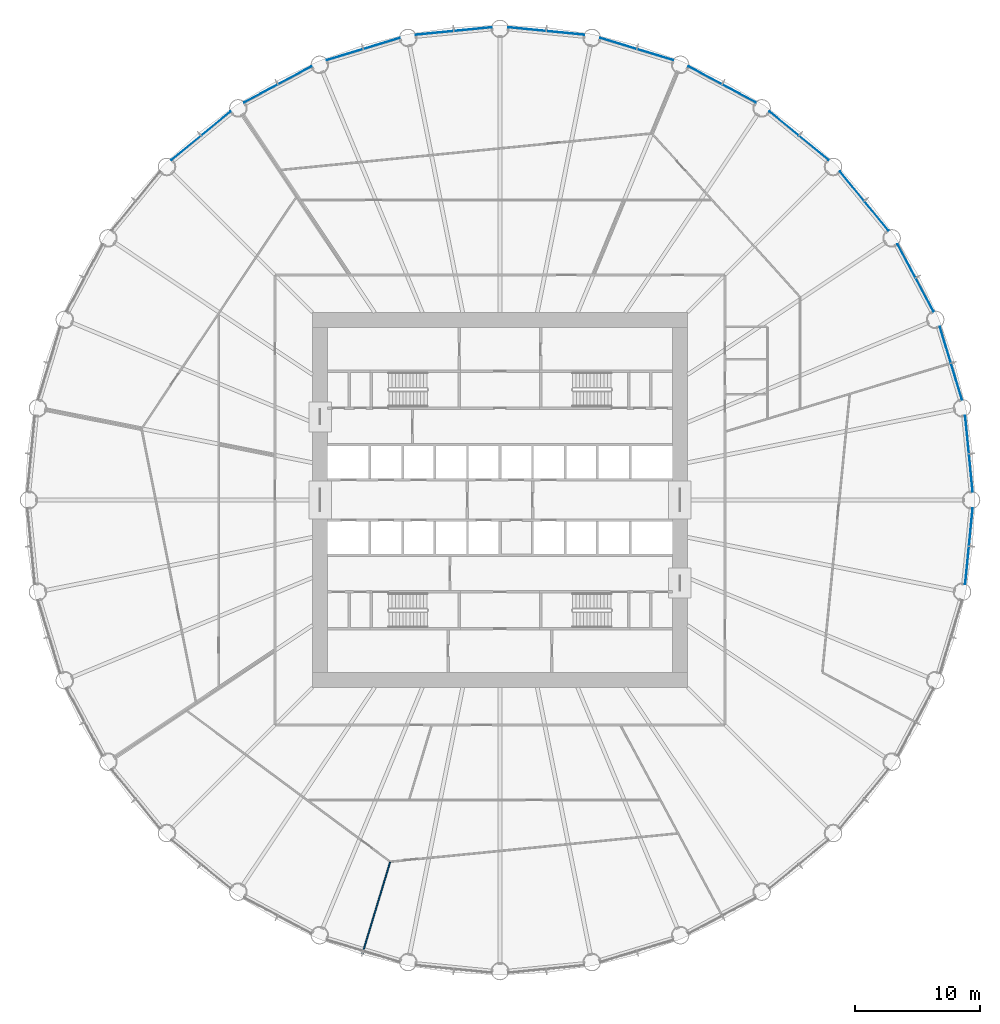
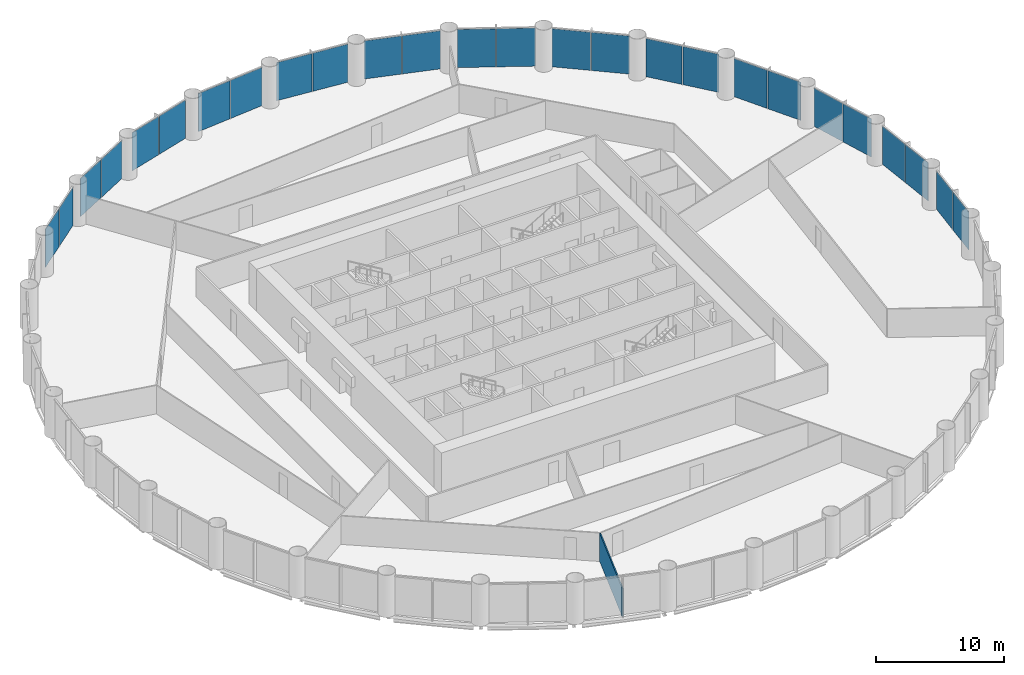
# One storey, part 9 of 14: 26 plates, 1 wall, 13 elements without a shape of their own.
"""IFC4 building model written with IfcOpenShell, lengths in metres."""

from ifc_helpers import new_model, si_unit, direction, frame, frame_2d, origin, origin_2d, place, context, subcontext, project, spatial, rectangle, extrude, material, layer, layer_set, type_object, element, aggregate, save


model = new_model("IFC4")

# Units and contexts
model_context = context("Model", 3, precision=1e-05, world=origin(), true_north=direction((0.0, 1.0)))
body_context = subcontext(model_context, "Body", "Model", "MODEL_VIEW")
ifc_project = project(units=[si_unit("LENGTHUNIT", "METRE"), si_unit("AREAUNIT", "SQUARE_METRE"), si_unit("VOLUMEUNIT", "CUBIC_METRE"), si_unit("PLANEANGLEUNIT", "RADIAN"), si_unit("MASSUNIT", "GRAM", prefix="KILO")], contexts=[model_context])

# Site, building, storey
site_placement = place(None, origin())
site = spatial("IfcSite", under=ifc_project, at=site_placement, CompositionType="ELEMENT")
building_placement = place(site_placement, origin())
building = spatial("IfcBuilding", under=site, at=building_placement, Name="Corvane Civic Tower", CompositionType="ELEMENT")
storey_placement = place(building_placement, frame((0.0, 0.0, 49.0)))
storey = spatial("IfcBuildingStorey", under=building, at=storey_placement, Name="L10", CompositionType="ELEMENT", Elevation=49.0)

# Curtain wall, plates
ifc_material_1 = material(Name="Anodised aluminium bronze", Category="aluminium")
curtain_wall_type = type_object("IfcCurtainWallType", Name="TOWER CW-T1 STICK CURTAIN WALL", PredefinedType="NOTDEFINED", material=ifc_material_1)
curtain_wall_1_placement = place(storey_placement, origin())
curtain_wall_1 = element("IfcCurtainWall", 1, at=curtain_wall_1_placement, inside=storey, type_object=curtain_wall_type, Name="Curtain wall CW-T1 L10 bay 01", PredefinedType="NOTDEFINED")
ifc_material_2 = material(Name="Tinted glass", Category="glass")
ifc_layer_1 = layer(ifc_material_2, 0.035888671875)
ifc_layer_set_1 = layer_set([ifc_layer_1], Name="Tinted glass")
plate_type = type_object("IfcPlateType", Name="TOWER CW-T1 PANEL IGU36", PredefinedType="CURTAIN_PANEL", material=ifc_layer_set_1)
plate_1_placement = place(storey_placement, frame((2.158203125, 37.667236328125, 0.0), z_axis=(0.0, 0.0, 1.0), x_axis=(0.995185800248, -0.098006239521, 0.0)))
plate_1 = element("IfcPlate", 2, at=plate_1_placement, type_object=plate_type, Name="Glass panel CW-T1 L10 01.1", PredefinedType="CURTAIN_PANEL", context=body_context, shape_type="SweptSolid", body=[
    extrude(rectangle(XDim=3.008544921875, YDim=0.035888671875, at=origin_2d()), origin(), (0.0, 0.0, 1.0), 3.6298828125),
])
plate_2_placement = place(storey_placement, frame((5.23193359375, 37.36474609375, 0.0), z_axis=(0.0, 0.0, 1.0), x_axis=(0.995185800248, -0.098006239521, 0.0)))
plate_2 = element("IfcPlate", 3, at=plate_2_placement, type_object=plate_type, Name="Glass panel CW-T1 L10 01.2", PredefinedType="CURTAIN_PANEL", context=body_context, shape_type="SweptSolid", body=[
    extrude(rectangle(XDim=3.008544921875, YDim=0.035888671875, at=origin_2d()), origin(), (0.0, 0.0, 1.0), 3.6298828125),
])
aggregate(curtain_wall_1, [plate_1, plate_2])

curtain_wall_2_placement = place(storey_placement, origin())
curtain_wall_2 = element("IfcCurtainWall", 4, at=curtain_wall_2_placement, inside=storey, type_object=curtain_wall_type, Name="Curtain wall CW-T1 L10 bay 02", PredefinedType="NOTDEFINED")
plate_3_placement = place(storey_placement, frame((9.46533203125, 36.522705078125, 0.0), z_axis=(0.0, 0.0, 1.0), x_axis=(0.956942240606, -0.290278397654, 0.0)))
plate_3 = element("IfcPlate", 5, at=plate_3_placement, type_object=plate_type, Name="Glass panel CW-T1 L10 02.1", PredefinedType="CURTAIN_PANEL", context=body_context, shape_type="SweptSolid", body=[
    extrude(rectangle(XDim=3.008544921875, YDim=0.035888671875, at=origin_2d()), origin(), (0.0, 0.0, 1.0), 3.6298828125),
])
plate_4_placement = place(storey_placement, frame((12.4208984375, 35.6259765625, 0.0), z_axis=(0.0, 0.0, 1.0), x_axis=(0.956942240606, -0.290278397654, 0.0)))
plate_4 = element("IfcPlate", 6, at=plate_4_placement, type_object=plate_type, Name="Glass panel CW-T1 L10 02.2", PredefinedType="CURTAIN_PANEL", context=body_context, shape_type="SweptSolid", body=[
    extrude(rectangle(XDim=3.008544921875, YDim=0.035888671875, at=origin_2d()), origin(), (0.0, 0.0, 1.0), 3.6298828125),
])
aggregate(curtain_wall_2, [plate_3, plate_4])

curtain_wall_3_placement = place(storey_placement, origin())
curtain_wall_3 = element("IfcCurtainWall", 7, at=curtain_wall_3_placement, inside=storey, type_object=curtain_wall_type, Name="Curtain wall CW-T1 L10 bay 03", PredefinedType="NOTDEFINED")
plate_5_placement = place(storey_placement, frame((16.40869140625, 33.974365234375, 0.0), z_axis=(0.0, 0.0, 1.0), x_axis=(0.881917528864, -0.471403725359, 0.0)))
plate_5 = element("IfcPlate", 8, at=plate_5_placement, type_object=plate_type, Name="Glass panel CW-T1 L10 03.1", PredefinedType="CURTAIN_PANEL", context=body_context, shape_type="SweptSolid", body=[
    extrude(rectangle(XDim=3.008544921875, YDim=0.035888671875, at=origin_2d()), origin(), (0.0, 0.0, 1.0), 3.6298828125),
])
plate_6_placement = place(storey_placement, frame((19.132568359375, 32.518310546875, 0.0), z_axis=(0.0, 0.0, 1.0), x_axis=(0.881917528864, -0.471403725359, 0.0)))
plate_6 = element("IfcPlate", 9, at=plate_6_placement, type_object=plate_type, Name="Glass panel CW-T1 L10 03.2", PredefinedType="CURTAIN_PANEL", context=body_context, shape_type="SweptSolid", body=[
    extrude(rectangle(XDim=3.008544921875, YDim=0.035888671875, at=origin_2d()), origin(), (0.0, 0.0, 1.0), 3.6298828125),
])
aggregate(curtain_wall_3, [plate_5, plate_6])

curtain_wall_4_placement = place(storey_placement, origin())
curtain_wall_4 = element("IfcCurtainWall", 10, at=curtain_wall_4_placement, inside=storey, type_object=curtain_wall_type, Name="Curtain wall CW-T1 L10 bay 04", PredefinedType="NOTDEFINED")
plate_7_placement = place(storey_placement, frame((22.721435546875, 30.120361328125, 0.0), z_axis=(0.0, 0.0, 1.0), x_axis=(0.773007224463, -0.634397218569, 0.0)))
plate_7 = element("IfcPlate", 11, at=plate_7_placement, type_object=plate_type, Name="Glass panel CW-T1 L10 04.1", PredefinedType="CURTAIN_PANEL", context=body_context, shape_type="SweptSolid", body=[
    extrude(rectangle(XDim=3.008544921875, YDim=0.035888671875, at=origin_2d()), origin(), (0.0, 0.0, 1.0), 3.6298828125),
])
plate_8_placement = place(storey_placement, frame((25.10888671875, 28.160888671875, 0.0), z_axis=(0.0, 0.0, 1.0), x_axis=(0.773007224463, -0.634397218569, 0.0)))
plate_8 = element("IfcPlate", 12, at=plate_8_placement, type_object=plate_type, Name="Glass panel CW-T1 L10 04.2", PredefinedType="CURTAIN_PANEL", context=body_context, shape_type="SweptSolid", body=[
    extrude(rectangle(XDim=3.008544921875, YDim=0.035888671875, at=origin_2d()), origin(), (0.0, 0.0, 1.0), 3.6298828125),
])
aggregate(curtain_wall_4, [plate_7, plate_8])

curtain_wall_5_placement = place(storey_placement, origin())
curtain_wall_5 = element("IfcCurtainWall", 13, at=curtain_wall_5_placement, inside=storey, type_object=curtain_wall_type, Name="Curtain wall CW-T1 L10 bay 05", PredefinedType="NOTDEFINED")
plate_9_placement = place(storey_placement, frame((28.160888671875, 25.10888671875, 0.0), z_axis=(0.0, 0.0, 1.0), x_axis=(0.634397218569, -0.773007224463, 0.0)))
plate_9 = element("IfcPlate", 14, at=plate_9_placement, type_object=plate_type, Name="Glass panel CW-T1 L10 05.1", PredefinedType="CURTAIN_PANEL", context=body_context, shape_type="SweptSolid", body=[
    extrude(rectangle(XDim=3.008544921875, YDim=0.035888671875, at=origin_2d()), origin(), (0.0, 0.0, 1.0), 3.6298828125),
])
plate_10_placement = place(storey_placement, frame((30.120361328125, 22.721435546875, 0.0), z_axis=(0.0, 0.0, 1.0), x_axis=(0.634397218569, -0.773007224463, 0.0)))
plate_10 = element("IfcPlate", 15, at=plate_10_placement, type_object=plate_type, Name="Glass panel CW-T1 L10 05.2", PredefinedType="CURTAIN_PANEL", context=body_context, shape_type="SweptSolid", body=[
    extrude(rectangle(XDim=3.008544921875, YDim=0.035888671875, at=origin_2d()), origin(), (0.0, 0.0, 1.0), 3.6298828125),
])
aggregate(curtain_wall_5, [plate_9, plate_10])

curtain_wall_6_placement = place(storey_placement, origin())
curtain_wall_6 = element("IfcCurtainWall", 16, at=curtain_wall_6_placement, inside=storey, type_object=curtain_wall_type, Name="Curtain wall CW-T1 L10 bay 06", PredefinedType="NOTDEFINED")
plate_11_placement = place(storey_placement, frame((32.518310546875, 19.132568359375, 0.0), z_axis=(0.0, 0.0, 1.0), x_axis=(0.471403725359, -0.881917528864, 0.0)))
plate_11 = element("IfcPlate", 17, at=plate_11_placement, type_object=plate_type, Name="Glass panel CW-T1 L10 06.1", PredefinedType="CURTAIN_PANEL", context=body_context, shape_type="SweptSolid", body=[
    extrude(rectangle(XDim=3.008544921875, YDim=0.035888671875, at=origin_2d()), origin(), (0.0, 0.0, 1.0), 3.6298828125),
])
plate_12_placement = place(storey_placement, frame((33.974365234375, 16.40869140625, 0.0), z_axis=(0.0, 0.0, 1.0), x_axis=(0.471403725359, -0.881917528864, 0.0)))
plate_12 = element("IfcPlate", 18, at=plate_12_placement, type_object=plate_type, Name="Glass panel CW-T1 L10 06.2", PredefinedType="CURTAIN_PANEL", context=body_context, shape_type="SweptSolid", body=[
    extrude(rectangle(XDim=3.008544921875, YDim=0.035888671875, at=origin_2d()), origin(), (0.0, 0.0, 1.0), 3.6298828125),
])
aggregate(curtain_wall_6, [plate_11, plate_12])

curtain_wall_7_placement = place(storey_placement, origin())
curtain_wall_7 = element("IfcCurtainWall", 19, at=curtain_wall_7_placement, inside=storey, type_object=curtain_wall_type, Name="Curtain wall CW-T1 L10 bay 07", PredefinedType="NOTDEFINED")
plate_13_placement = place(storey_placement, frame((35.6259765625, 12.4208984375, 0.0), z_axis=(0.0, 0.0, 1.0), x_axis=(0.290278397654, -0.956942240606, 0.0)))
plate_13 = element("IfcPlate", 20, at=plate_13_placement, type_object=plate_type, Name="Glass panel CW-T1 L10 07.1", PredefinedType="CURTAIN_PANEL", context=body_context, shape_type="SweptSolid", body=[
    extrude(rectangle(XDim=3.008544921875, YDim=0.035888671875, at=origin_2d()), origin(), (0.0, 0.0, 1.0), 3.6298828125),
])
plate_14_placement = place(storey_placement, frame((36.522705078125, 9.46533203125, 0.0), z_axis=(0.0, 0.0, 1.0), x_axis=(0.290278397654, -0.956942240606, 0.0)))
plate_14 = element("IfcPlate", 21, at=plate_14_placement, type_object=plate_type, Name="Glass panel CW-T1 L10 07.2", PredefinedType="CURTAIN_PANEL", context=body_context, shape_type="SweptSolid", body=[
    extrude(rectangle(XDim=3.008544921875, YDim=0.035888671875, at=origin_2d()), origin(), (0.0, 0.0, 1.0), 3.6298828125),
])
aggregate(curtain_wall_7, [plate_13, plate_14])

curtain_wall_8_placement = place(storey_placement, origin())
curtain_wall_8 = element("IfcCurtainWall", 22, at=curtain_wall_8_placement, inside=storey, type_object=curtain_wall_type, Name="Curtain wall CW-T1 L10 bay 08", PredefinedType="NOTDEFINED")
plate_15_placement = place(storey_placement, frame((37.36474609375, 5.23193359375, 0.0), z_axis=(0.0, 0.0, 1.0), x_axis=(0.098006239521, -0.995185800248, 0.0)))
plate_15 = element("IfcPlate", 23, at=plate_15_placement, type_object=plate_type, Name="Glass panel CW-T1 L10 08.1", PredefinedType="CURTAIN_PANEL", context=body_context, shape_type="SweptSolid", body=[
    extrude(rectangle(XDim=3.008544921875, YDim=0.035888671875, at=origin_2d()), origin(), (0.0, 0.0, 1.0), 3.6298828125),
])
plate_16_placement = place(storey_placement, frame((37.667236328125, 2.158203125, 0.0), z_axis=(0.0, 0.0, 1.0), x_axis=(0.098006239521, -0.995185800248, 0.0)))
plate_16 = element("IfcPlate", 24, at=plate_16_placement, type_object=plate_type, Name="Glass panel CW-T1 L10 08.2", PredefinedType="CURTAIN_PANEL", context=body_context, shape_type="SweptSolid", body=[
    extrude(rectangle(XDim=3.008544921875, YDim=0.035888671875, at=origin_2d()), origin(), (0.0, 0.0, 1.0), 3.6298828125),
])
aggregate(curtain_wall_8, [plate_15, plate_16])

curtain_wall_9_placement = place(storey_placement, origin())
curtain_wall_9 = element("IfcCurtainWall", 25, at=curtain_wall_9_placement, inside=storey, type_object=curtain_wall_type, Name="Curtain wall CW-T1 L10 bay 09", PredefinedType="NOTDEFINED")
plate_17_placement = place(storey_placement, frame((37.667236328125, -2.158203125, 0.0), z_axis=(0.0, 0.0, 1.0), x_axis=(-0.098006239521, -0.995185800248, 0.0)))
plate_17 = element("IfcPlate", 26, at=plate_17_placement, type_object=plate_type, Name="Glass panel CW-T1 L10 09.1", PredefinedType="CURTAIN_PANEL", context=body_context, shape_type="SweptSolid", body=[
    extrude(rectangle(XDim=3.008544921875, YDim=0.035888671875, at=origin_2d()), origin(), (0.0, 0.0, 1.0), 3.6298828125),
])
plate_18_placement = place(storey_placement, frame((37.36474609375, -5.23193359375, 0.0), z_axis=(0.0, 0.0, 1.0), x_axis=(-0.098006239521, -0.995185800248, 0.0)))
plate_18 = element("IfcPlate", 27, at=plate_18_placement, type_object=plate_type, Name="Glass panel CW-T1 L10 09.2", PredefinedType="CURTAIN_PANEL", context=body_context, shape_type="SweptSolid", body=[
    extrude(rectangle(XDim=3.008544921875, YDim=0.035888671875, at=origin_2d()), origin(), (0.0, 0.0, 1.0), 3.6298828125),
])
aggregate(curtain_wall_9, [plate_17, plate_18])

curtain_wall_10_placement = place(storey_placement, origin())
curtain_wall_10 = element("IfcCurtainWall", 28, at=curtain_wall_10_placement, inside=storey, type_object=curtain_wall_type, Name="Curtain wall CW-T1 L10 bay 29", PredefinedType="NOTDEFINED")
plate_19_placement = place(storey_placement, frame((-25.10888671875, 28.160888671875, 0.0), z_axis=(0.0, 0.0, 1.0), x_axis=(0.773007224463, 0.634397218569, 0.0)))
plate_19 = element("IfcPlate", 29, at=plate_19_placement, type_object=plate_type, Name="Glass panel CW-T1 L10 29.1", PredefinedType="CURTAIN_PANEL", context=body_context, shape_type="SweptSolid", body=[
    extrude(rectangle(XDim=3.008544921875, YDim=0.035888671875, at=origin_2d()), origin(), (0.0, 0.0, 1.0), 3.6298828125),
])
plate_20_placement = place(storey_placement, frame((-22.721435546875, 30.120361328125, 0.0), z_axis=(0.0, 0.0, 1.0), x_axis=(0.773007224463, 0.634397218569, 0.0)))
plate_20 = element("IfcPlate", 30, at=plate_20_placement, type_object=plate_type, Name="Glass panel CW-T1 L10 29.2", PredefinedType="CURTAIN_PANEL", context=body_context, shape_type="SweptSolid", body=[
    extrude(rectangle(XDim=3.008544921875, YDim=0.035888671875, at=origin_2d()), origin(), (0.0, 0.0, 1.0), 3.6298828125),
])
aggregate(curtain_wall_10, [plate_19, plate_20])

curtain_wall_11_placement = place(storey_placement, origin())
curtain_wall_11 = element("IfcCurtainWall", 31, at=curtain_wall_11_placement, inside=storey, type_object=curtain_wall_type, Name="Curtain wall CW-T1 L10 bay 30", PredefinedType="NOTDEFINED")
plate_21_placement = place(storey_placement, frame((-19.132568359375, 32.518310546875, 0.0), z_axis=(0.0, 0.0, 1.0), x_axis=(0.881917528864, 0.471403725359, 0.0)))
plate_21 = element("IfcPlate", 32, at=plate_21_placement, type_object=plate_type, Name="Glass panel CW-T1 L10 30.1", PredefinedType="CURTAIN_PANEL", context=body_context, shape_type="SweptSolid", body=[
    extrude(rectangle(XDim=3.008544921875, YDim=0.035888671875, at=origin_2d()), origin(), (0.0, 0.0, 1.0), 3.6298828125),
])
plate_22_placement = place(storey_placement, frame((-16.40869140625, 33.974365234375, 0.0), z_axis=(0.0, 0.0, 1.0), x_axis=(0.881917528864, 0.471403725359, 0.0)))
plate_22 = element("IfcPlate", 33, at=plate_22_placement, type_object=plate_type, Name="Glass panel CW-T1 L10 30.2", PredefinedType="CURTAIN_PANEL", context=body_context, shape_type="SweptSolid", body=[
    extrude(rectangle(XDim=3.008544921875, YDim=0.035888671875, at=origin_2d()), origin(), (0.0, 0.0, 1.0), 3.6298828125),
])
aggregate(curtain_wall_11, [plate_21, plate_22])

curtain_wall_12_placement = place(storey_placement, origin())
curtain_wall_12 = element("IfcCurtainWall", 34, at=curtain_wall_12_placement, inside=storey, type_object=curtain_wall_type, Name="Curtain wall CW-T1 L10 bay 31", PredefinedType="NOTDEFINED")
plate_23_placement = place(storey_placement, frame((-12.4208984375, 35.6259765625, 0.0), z_axis=(0.0, 0.0, 1.0), x_axis=(0.956942240606, 0.290278397654, 0.0)))
plate_23 = element("IfcPlate", 35, at=plate_23_placement, type_object=plate_type, Name="Glass panel CW-T1 L10 31.1", PredefinedType="CURTAIN_PANEL", context=body_context, shape_type="SweptSolid", body=[
    extrude(rectangle(XDim=3.008544921875, YDim=0.035888671875, at=origin_2d()), origin(), (0.0, 0.0, 1.0), 3.6298828125),
])
plate_24_placement = place(storey_placement, frame((-9.46533203125, 36.522705078125, 0.0), z_axis=(0.0, 0.0, 1.0), x_axis=(0.956942240606, 0.290278397654, 0.0)))
plate_24 = element("IfcPlate", 36, at=plate_24_placement, type_object=plate_type, Name="Glass panel CW-T1 L10 31.2", PredefinedType="CURTAIN_PANEL", context=body_context, shape_type="SweptSolid", body=[
    extrude(rectangle(XDim=3.008544921875, YDim=0.035888671875, at=origin_2d()), origin(), (0.0, 0.0, 1.0), 3.6298828125),
])
aggregate(curtain_wall_12, [plate_23, plate_24])

curtain_wall_13_placement = place(storey_placement, origin())
curtain_wall_13 = element("IfcCurtainWall", 37, at=curtain_wall_13_placement, inside=storey, type_object=curtain_wall_type, Name="Curtain wall CW-T1 L10 bay 32", PredefinedType="NOTDEFINED")
plate_25_placement = place(storey_placement, frame((-5.23193359375, 37.36474609375, 0.0), z_axis=(0.0, 0.0, 1.0), x_axis=(0.995185800248, 0.098006239521, 0.0)))
plate_25 = element("IfcPlate", 38, at=plate_25_placement, type_object=plate_type, Name="Glass panel CW-T1 L10 32.1", PredefinedType="CURTAIN_PANEL", context=body_context, shape_type="SweptSolid", body=[
    extrude(rectangle(XDim=3.008544921875, YDim=0.035888671875, at=origin_2d()), origin(), (0.0, 0.0, 1.0), 3.6298828125),
])
plate_26_placement = place(storey_placement, frame((-2.158203125, 37.667236328125, 0.0), z_axis=(0.0, 0.0, 1.0), x_axis=(0.995185800248, 0.098006239521, 0.0)))
plate_26 = element("IfcPlate", 39, at=plate_26_placement, type_object=plate_type, Name="Glass panel CW-T1 L10 32.2", PredefinedType="CURTAIN_PANEL", context=body_context, shape_type="SweptSolid", body=[
    extrude(rectangle(XDim=3.008544921875, YDim=0.035888671875, at=origin_2d()), origin(), (0.0, 0.0, 1.0), 3.6298828125),
])
aggregate(curtain_wall_13, [plate_25, plate_26])

# Wall
ifc_material_3 = material(Name="Plasterboard")
ifc_layer_2 = layer(ifc_material_3, 0.10009765625)
ifc_layer_set_2 = layer_set([ifc_layer_2], Name="Plasterboard")
wall_type = type_object("IfcWallType", Name="Partition 100 plasterboard on studs", PredefinedType="PARTITIONING", material=ifc_layer_set_2)
wall_placement = place(storey_placement, frame((-11.016357421875, -36.316162109375, 0.0), z_axis=(0.0, 0.0, 1.0), x_axis=(0.290265209533, 0.956946240985, 0.0)))
element("IfcWall", 40, at=wall_placement, inside=storey, type_object=wall_type, Name="Partition L10.001", PredefinedType="PARTITIONING", context=body_context, shape_type="SweptSolid", body=[
    extrude(rectangle(XDim=7.674072265625, YDim=0.10009765625, at=frame_2d((3.8369140625, 0.0))), origin(), (0.0, 0.0, 1.0), 2.699951171875),
])

save(model, "model.ifc")
